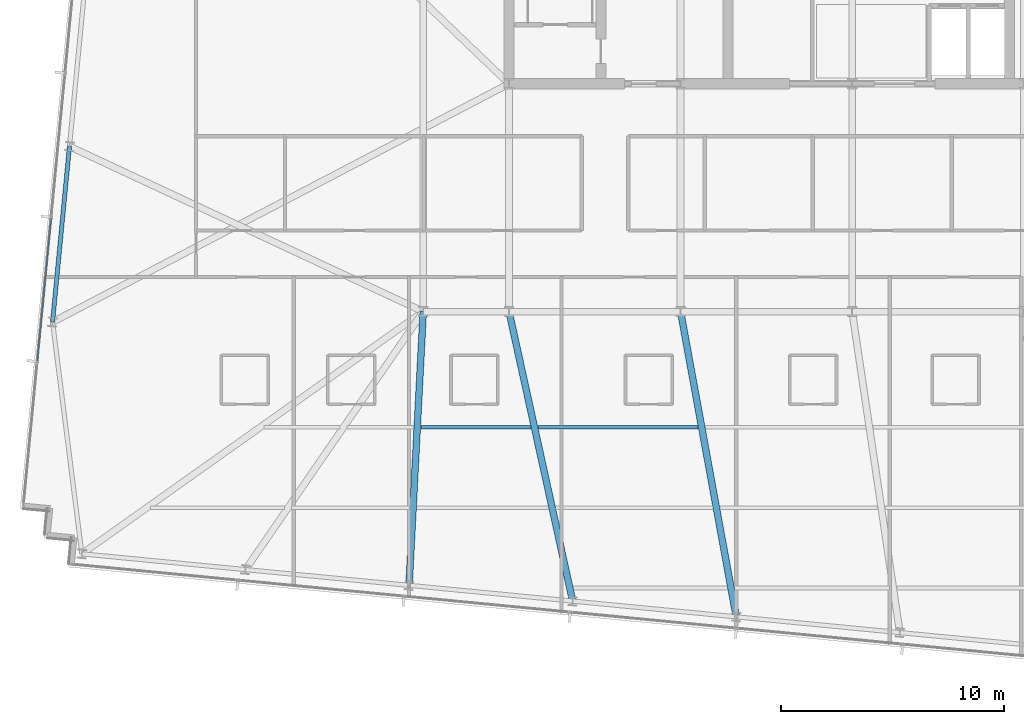
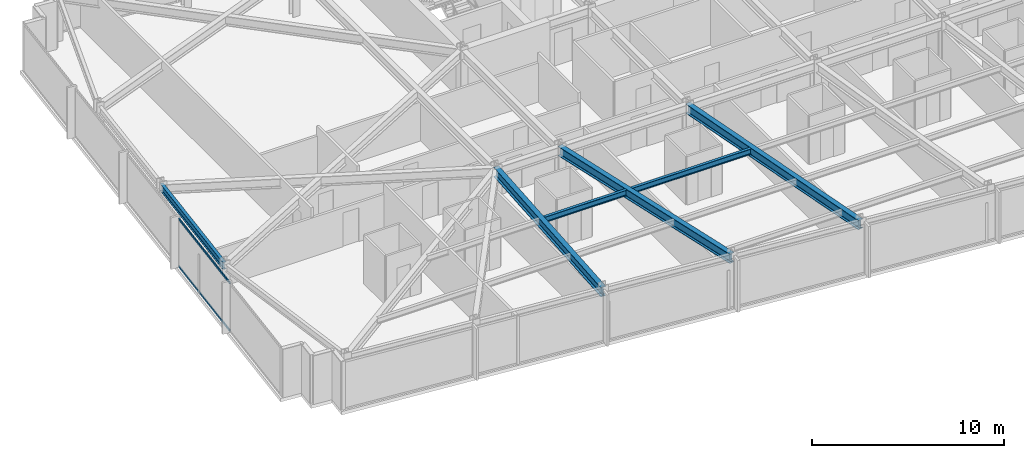
# One storey, part 7 of 38: 6 beams, 2 members, 1 element without a shape of its own.
"""IFC4 building model written with IfcOpenShell, lengths in metres."""

from ifc_helpers import new_model, si_unit, direction, frame, origin, origin_2d, place, context, subcontext, project, spatial, hollow_rectangle, i_section, extrude, material, material_profile, profile_set, type_object, element, aggregate, save


model = new_model("IFC4")

# Units and contexts
model_context = context("Model", 3, precision=1e-05, world=origin(), true_north=direction((0.0, 1.0)))
body_context = subcontext(model_context, "Body", "Model", "MODEL_VIEW")
ifc_project = project(units=[si_unit("LENGTHUNIT", "METRE"), si_unit("AREAUNIT", "SQUARE_METRE"), si_unit("VOLUMEUNIT", "CUBIC_METRE"), si_unit("PLANEANGLEUNIT", "RADIAN"), si_unit("MASSUNIT", "GRAM", prefix="KILO")], contexts=[model_context])

# Site, building, storey
site_placement = place(None, origin())
site = spatial("IfcSite", under=ifc_project, at=site_placement, CompositionType="ELEMENT")
building_placement = place(site_placement, origin())
building = spatial("IfcBuilding", under=site, at=building_placement, Name="Yelkora Congress Tower", CompositionType="ELEMENT")
storey_placement = place(building_placement, frame((0.0, 0.0, 172.10009765625)))
storey = spatial("IfcBuildingStorey", under=building, at=storey_placement, Name="L47", CompositionType="ELEMENT", Elevation=172.10009765625)

# Beams
ifc_material_1 = material(Name="Steel S355J2", Category="steel")
ifc_material_profile_1 = material_profile(ifc_material_1, i_section(OverallWidth=0.300048828125, OverallDepth=0.60009765625, WebThickness=0.015380859375, FlangeThickness=0.030029296875, FilletRadius=0.027099609375, at=origin_2d()), Name="HEB 600")
ifc_profile_set_1 = profile_set([ifc_material_profile_1], Name="Steel S355J2")
beam_type_1 = type_object("IfcBeamType", Name="BM-GIRD-HEB600", PredefinedType="BEAM", material=ifc_profile_set_1)
beam_1_placement = place(storey_placement, frame((18.56591796875, 12.947021484375, 2.77978515625), z_axis=(0.051676299428, 0.99866388744, 0.0), x_axis=(-0.99866388744, 0.051676299428, 0.0)))
element("IfcBeam", 1, at=beam_1_placement, inside=storey, type_object=beam_type_1, Name="L47 Primary Frame Girder S03", PredefinedType="BEAM", context=body_context, shape_type="SweptSolid", body=[
    extrude(i_section(OverallWidth=0.300048828125, OverallDepth=0.60009765625, WebThickness=0.015380859375, FlangeThickness=0.030029296875, FilletRadius=0.027099609375, at=origin_2d()), origin(), (0.0, 0.0, 1.0), 12.269287109375),
])
beam_2_placement = place(storey_placement, frame((25.888916015625, 12.24169921875, 2.77978515625), z_axis=(-0.214722420774, 0.976675115899, 0.0), x_axis=(-0.976675115899, -0.214722420774, 0.0)))
element("IfcBeam", 2, at=beam_2_placement, inside=storey, type_object=beam_type_1, Name="L47 Primary Frame Girder S04", PredefinedType="BEAM", context=body_context, shape_type="SweptSolid", body=[
    extrude(i_section(OverallWidth=0.300048828125, OverallDepth=0.60009765625, WebThickness=0.015380859375, FlangeThickness=0.030029296875, FilletRadius=0.027099609375, at=origin_2d()), origin(), (0.0, 0.0, 1.0), 13.267822265625),
])
beam_3_placement = place(storey_placement, frame((33.21240234375, 11.53662109375, 2.77978515625), z_axis=(-0.179456208566, 0.983765962619, 0.0), x_axis=(-0.983765962619, -0.179456208566, 0.0)))
element("IfcBeam", 3, at=beam_3_placement, inside=storey, type_object=beam_type_1, Name="L47 Primary Frame Girder S05", PredefinedType="BEAM", context=body_context, shape_type="SweptSolid", body=[
    extrude(i_section(OverallWidth=0.300048828125, OverallDepth=0.60009765625, WebThickness=0.015380859375, FlangeThickness=0.030029296875, FilletRadius=0.027099609375, at=origin_2d()), origin(), (0.0, 0.0, 1.0), 13.888916015625),
])
ifc_material_profile_2 = material_profile(ifc_material_1, i_section(OverallWidth=0.169921875, OverallDepth=0.360107421875, WebThickness=0.008056640625, FlangeThickness=0.0126953125, FilletRadius=0.01806640625, at=origin_2d()), Name="IPE 360")
ifc_profile_set_2 = profile_set([ifc_material_profile_2], Name="Steel S355J2")
beam_type_2 = type_object("IfcBeamType", Name="BM-JOIST-IPE360", PredefinedType="JOIST", material=ifc_profile_set_2)
beam_4_placement = place(storey_placement, frame((19.092041015625, 20.021240234375, 2.89990234375), z_axis=(1.0, 0.0, 0.0), x_axis=(0.0, 1.0, 0.0)))
element("IfcBeam", 4, at=beam_4_placement, inside=storey, type_object=beam_type_2, Name="L47 Composite Floor Joist 14", PredefinedType="JOIST", context=body_context, shape_type="SweptSolid", body=[
    extrude(i_section(OverallWidth=0.169921875, OverallDepth=0.360107421875, WebThickness=0.008056640625, FlangeThickness=0.0126953125, FilletRadius=0.01806640625, at=origin_2d()), origin(), (0.0, 0.0, 1.0), 4.926513671875),
])
beam_5_placement = place(storey_placement, frame((24.338623046875, 20.021240234375, 2.89990234375), z_axis=(1.0, 0.0, 0.0), x_axis=(0.0, 1.0, 0.0)))
element("IfcBeam", 5, at=beam_5_placement, inside=storey, type_object=beam_type_2, Name="L47 Composite Floor Joist 15", PredefinedType="JOIST", context=body_context, shape_type="SweptSolid", body=[
    extrude(i_section(OverallWidth=0.169921875, OverallDepth=0.360107421875, WebThickness=0.008056640625, FlangeThickness=0.0126953125, FilletRadius=0.01806640625, at=origin_2d()), origin(), (0.0, 0.0, 1.0), 7.166015625),
])
ifc_material_profile_3 = material_profile(ifc_material_1, i_section(OverallWidth=0.18994140625, OverallDepth=0.449951171875, WebThickness=0.009521484375, FlangeThickness=0.0146484375, FilletRadius=0.02099609375, at=origin_2d()), Name="IPE 450")
ifc_profile_set_3 = profile_set([ifc_material_profile_3], Name="Steel S355J2")
beam_type_3 = type_object("IfcBeamType", Name="BM-SPAN-IPE450", PredefinedType="SPANDREL", material=ifc_profile_set_3)
beam_6_placement = place(storey_placement, frame((3.364501953125, 32.594482421875, 2.85498046875), z_axis=(-0.095831353931, -0.995397584689, 0.0), x_axis=(0.995397584689, -0.095831353931, 0.0)))
element("IfcBeam", 6, at=beam_6_placement, inside=storey, type_object=beam_type_3, Name="L47 Perimeter Beam 18", PredefinedType="SPANDREL", context=body_context, shape_type="SweptSolid", body=[
    extrude(i_section(OverallWidth=0.18994140625, OverallDepth=0.449951171875, WebThickness=0.009521484375, FlangeThickness=0.0146484375, FilletRadius=0.02099609375, at=origin_2d()), origin(), (0.0, 0.0, 1.0), 7.900146484375),
])

# Curtain wall, members
ifc_material_2 = material(Name="Anodised aluminium and insulated glass", Category="aluminium")
curtain_wall_type = type_object("IfcCurtainWallType", Name="CW-SYS-B3", PredefinedType="NOTDEFINED", material=ifc_material_2)
curtain_wall_placement = place(storey_placement, origin())
curtain_wall = element("IfcCurtainWall", 7, at=curtain_wall_placement, inside=storey, type_object=curtain_wall_type, Name="L47 Unitised Curtain Wall 5", PredefinedType="NOTDEFINED")
ifc_material_3 = material(Name="Anodised aluminium 6063-T6", Category="aluminium")
ifc_material_profile_4 = material_profile(ifc_material_3, hollow_rectangle(XDim=0.06005859375, YDim=0.1298828125, WallThickness=0.00390625, at=origin_2d()), Name="ALU 60x130x4")
ifc_profile_set_4 = profile_set([ifc_material_profile_4], Name="Anodised aluminium 6063-T6")
member_type = type_object("IfcMemberType", Name="MEM-TR-B3", PredefinedType="USERDEFINED", material=ifc_profile_set_4)
member_1_placement = place(storey_placement, frame((1.92822265625, 22.996826171875, 0.02978515625), z_axis=(0.095843682057, 0.995396397728, 0.0), x_axis=(-0.995396397728, 0.095843682057, 0.0)))
member_1 = element("IfcMember", 8, at=member_1_placement, type_object=member_type, Name="CW-B3 transom 2.1", ObjectType="TRANSOM", PredefinedType="USERDEFINED", context=body_context, shape_type="SweptSolid", body=[
    extrude(hollow_rectangle(XDim=0.06005859375, YDim=0.1298828125, WallThickness=0.00390625, at=origin_2d()), origin(), (0.0, 0.0, 1.0), 6.4140625),
])
member_2_placement = place(storey_placement, frame((1.92822265625, 22.996826171875, 3.0498046875), z_axis=(0.095843682057, 0.995396397728, 0.0), x_axis=(-0.995396397728, 0.095843682057, 0.0)))
member_2 = element("IfcMember", 9, at=member_2_placement, type_object=member_type, Name="CW-B3 transom 2.2", ObjectType="TRANSOM", PredefinedType="USERDEFINED", context=body_context, shape_type="SweptSolid", body=[
    extrude(hollow_rectangle(XDim=0.06005859375, YDim=0.1298828125, WallThickness=0.00390625, at=origin_2d()), origin(), (0.0, 0.0, 1.0), 6.4140625),
])
aggregate(curtain_wall, [member_1, member_2])

save(model, "model.ifc")
